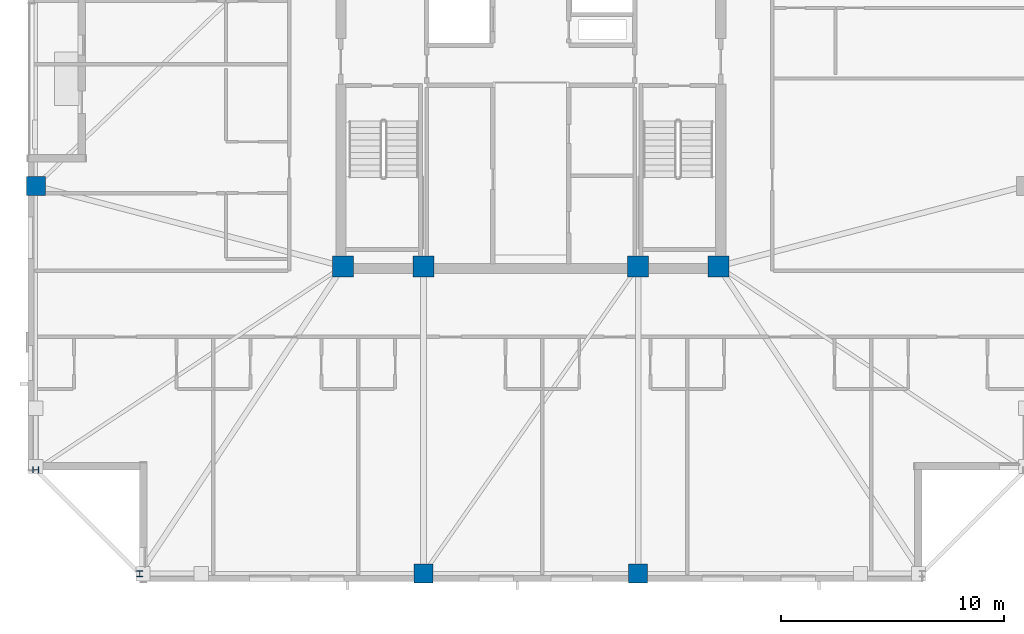
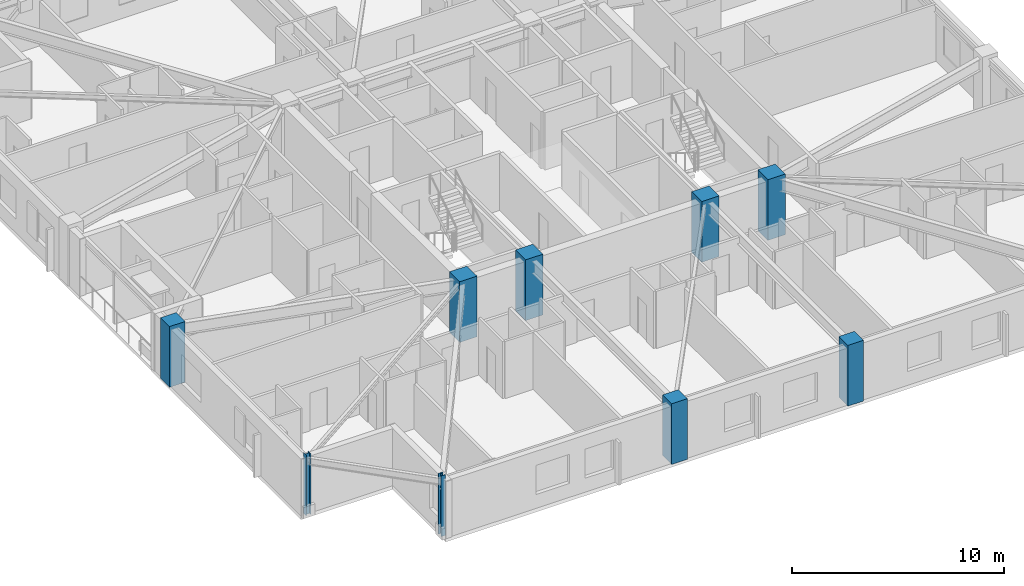
# One storey, part 1 of 17: 9 columns.
"""IFC4 building model written with IfcOpenShell, lengths in metres."""

from ifc_helpers import new_model, si_unit, direction, frame, origin, origin_2d, place, context, subcontext, project, spatial, rectangle, i_section, extrude, material, material_profile, profile_set, type_object, element, save


model = new_model("IFC4")

# Units and contexts
model_context = context("Model", 3, precision=1e-05, world=origin(), true_north=direction((0.0, 1.0)))
body_context = subcontext(model_context, "Body", "Model", "MODEL_VIEW")
ifc_project = project(units=[si_unit("LENGTHUNIT", "METRE"), si_unit("AREAUNIT", "SQUARE_METRE"), si_unit("VOLUMEUNIT", "CUBIC_METRE"), si_unit("PLANEANGLEUNIT", "RADIAN"), si_unit("MASSUNIT", "GRAM", prefix="KILO")], contexts=[model_context])

# Site, building, storey
site_placement = place(None, origin())
site = spatial("IfcSite", under=ifc_project, at=site_placement, CompositionType="ELEMENT")
building_placement = place(site_placement, origin())
building = spatial("IfcBuilding", under=site, at=building_placement, Name="Cairnveth Concourse Tower", CompositionType="ELEMENT")
storey_placement = place(building_placement, frame((0.0, 0.0, 241.0)))
storey = spatial("IfcBuildingStorey", under=building, at=storey_placement, Name="L66", CompositionType="ELEMENT", Elevation=241.0)

# Columns
ifc_material_1 = material(Name="Concrete N65 (65 MPa)", Category="concrete")
ifc_material_profile_1 = material_profile(ifc_material_1, rectangle(XDim=0.949951171875, YDim=0.949951171875, at=origin_2d()), Name="RC-COL-950x950")
ifc_profile_set_1 = profile_set([ifc_material_profile_1], Name="Concrete N65 (65 MPa)")
column_type_1 = type_object("IfcColumnType", Name="CORE COLUMN 950X950", PredefinedType="COLUMN", material=ifc_profile_set_1)
for number, where, z_axis, x_axis, name in (
    (1, (43.60009765625, 30.60009765625, 0.0), (0.0, 0.0, 1.0), (1.0, 0.0, 0.0), "Column CC1 L66"),
    (2, (47.199951171875, 30.60009765625, 0.0), (0.0, 0.0, 1.0), (1.0, 0.0, 0.0), "Column CC2 L66"),
    (3, (56.800048828125, 30.60009765625, 0.0), (0.0, 0.0, 1.0), (1.0, 0.0, 0.0), "Column CC3 L66"),
    (4, (60.39990234375, 30.60009765625, 0.0), (0.0, 0.0, 1.0), (1.0, 0.0, 0.0), "Column CC4 L66"),
):
    element("IfcColumn", number, at=place(storey_placement, frame(where, z_axis=z_axis, x_axis=x_axis)), inside=storey, type_object=column_type_1, Name=name, PredefinedType="COLUMN", context=body_context, shape_type="SweptSolid", body=[
        extrude(rectangle(XDim=0.949951171875, YDim=0.949951171875, at=origin_2d()), origin(), (0.0, 0.0, 1.0), 3.5),
    ])
ifc_material_profile_2 = material_profile(ifc_material_1, rectangle(XDim=0.85009765625, YDim=0.85009765625, at=origin_2d()), Name="RC-COL-850x850")
ifc_profile_set_2 = profile_set([ifc_material_profile_2], Name="Concrete N65 (65 MPa)")
column_type_2 = type_object("IfcColumnType", Name="PERIMETER PIER COLUMN 850X850", PredefinedType="COLUMN", material=ifc_profile_set_2)
for number, where, z_axis, x_axis, name in (
    (5, (47.199951171875, 16.85009765625, 0.0), (0.0, 0.0, 1.0), (1.0, 0.0, 0.0), "Column P-S2 L66"),
    (6, (56.800048828125, 16.85009765625, 0.0), (0.0, 0.0, 1.0), (1.0, 0.0, 0.0), "Column P-S3 L66"),
    (7, (29.85009765625, 34.199951171875, 0.0), (0.0, 0.0, 1.0), (0.0, 1.0, 0.0), "Column P-W3 L66"),
):
    element("IfcColumn", number, at=place(storey_placement, frame(where, z_axis=z_axis, x_axis=x_axis)), inside=storey, type_object=column_type_2, Name=name, PredefinedType="COLUMN", context=body_context, shape_type="SweptSolid", body=[
        extrude(rectangle(XDim=0.85009765625, YDim=0.85009765625, at=origin_2d()), origin(), (0.0, 0.0, 1.0), 3.5),
    ])
ifc_material_2 = material(Name="Steel Grade 350", Category="steel")
ifc_material_profile_3 = material_profile(ifc_material_2, i_section(OverallWidth=0.256103515625, OverallDepth=0.260009765625, WebThickness=0.010498046875, FlangeThickness=0.017333984375, FilletRadius=0.012939453125, at=origin_2d()), Name="250UC89.5")
ifc_profile_set_3 = profile_set([ifc_material_profile_3], Name="Steel Grade 350")
column_type_3 = type_object("IfcColumnType", Name="UNIVERSAL STEEL COLUMN 250UC89.5", PredefinedType="COLUMN", material=ifc_profile_set_3)
for number, where, z_axis, x_axis, name in (
    (8, (34.5, 16.85009765625, 0.0), (0.0, 0.0, 1.0), (1.0, 0.0, 0.0), "Column P-S1 L66"),
    (9, (29.85009765625, 21.5, 0.0), (0.0, 0.0, 1.0), (0.0, 1.0, 0.0), "Column P-W4 L66"),
):
    element("IfcColumn", number, at=place(storey_placement, frame(where, z_axis=z_axis, x_axis=x_axis)), inside=storey, type_object=column_type_3, Name=name, PredefinedType="COLUMN", context=body_context, shape_type="SweptSolid", body=[
        extrude(i_section(OverallWidth=0.256103515625, OverallDepth=0.260009765625, WebThickness=0.010498046875, FlangeThickness=0.017333984375, FilletRadius=0.012939453125, at=origin_2d()), origin(), (0.0, 0.0, 1.0), 3.5),
    ])

save(model, "model.ifc")
